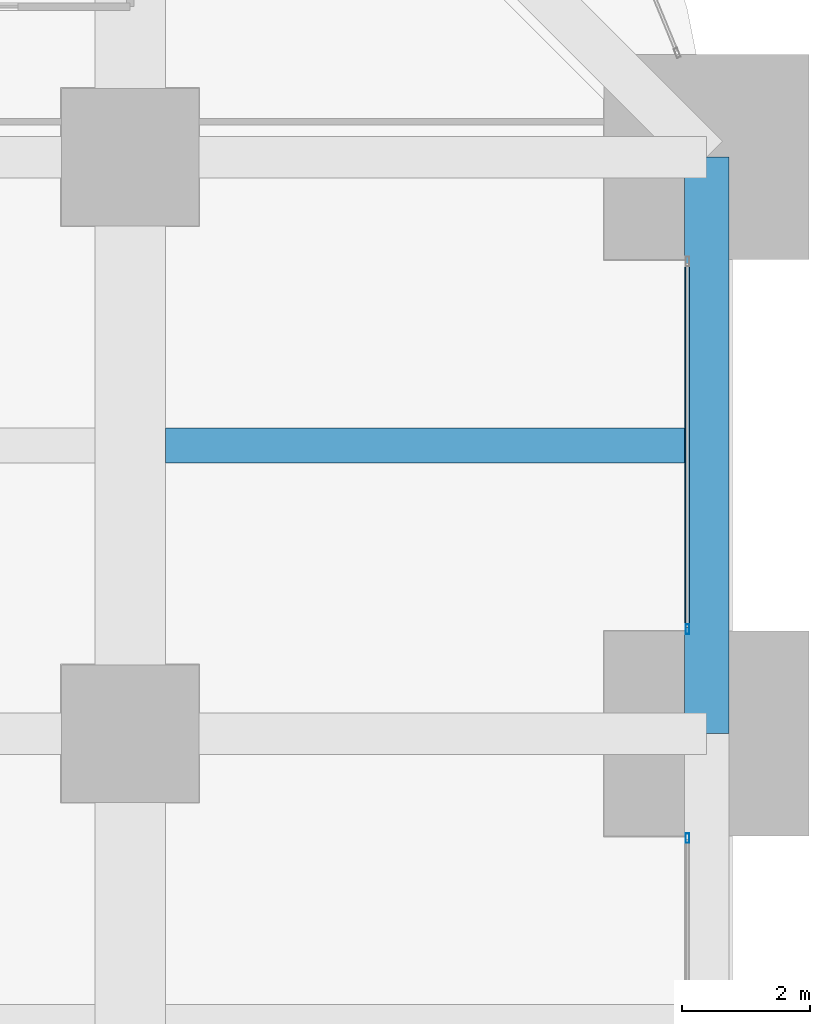
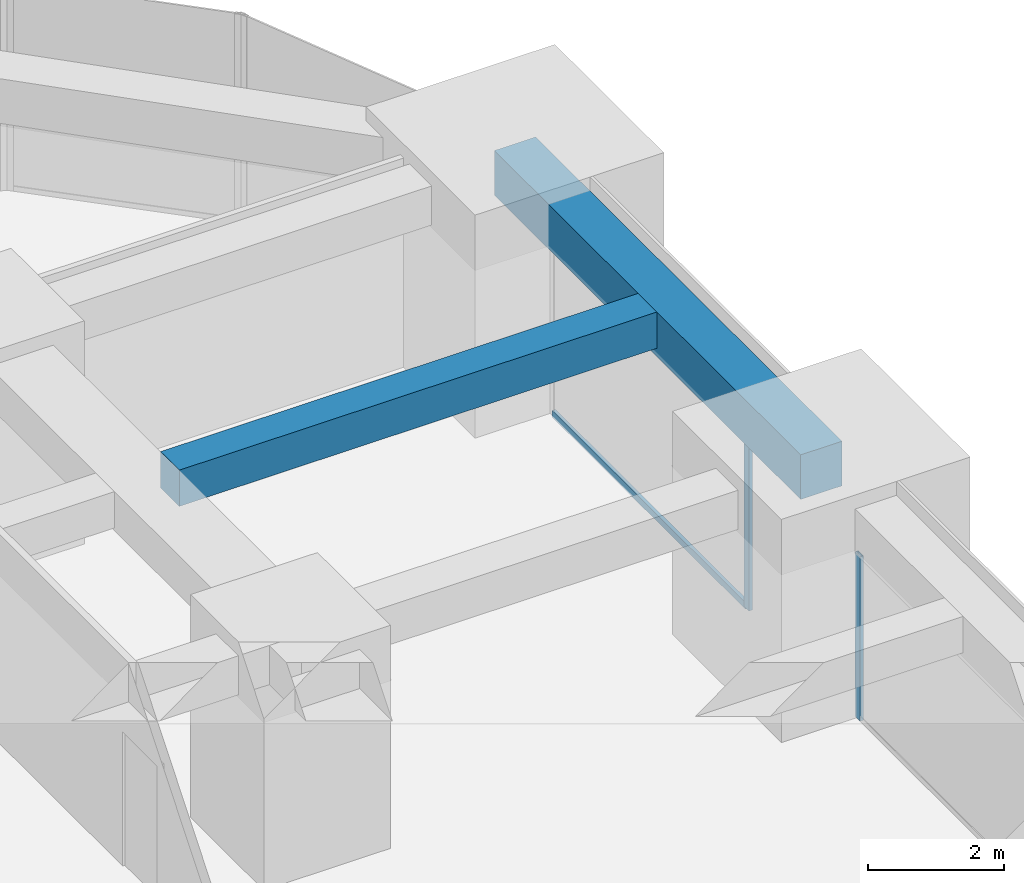
# One storey, part 23 of 41: 3 members, 2 beams, 2 elements without a shape of their own.
"""IFC4 building model written with IfcOpenShell, lengths in metres."""

from ifc_helpers import new_model, si_unit, direction, frame, origin, origin_2d, place, context, subcontext, project, spatial, rectangle, hollow_rectangle, extrude, material, material_profile, profile_set, type_object, element, aggregate, save


model = new_model("IFC4")

# Units and contexts
model_context = context("Model", 3, precision=1e-05, world=origin(), true_north=direction((0.0, 1.0)))
body_context = subcontext(model_context, "Body", "Model", "MODEL_VIEW")
ifc_project = project(units=[si_unit("LENGTHUNIT", "METRE"), si_unit("AREAUNIT", "SQUARE_METRE"), si_unit("VOLUMEUNIT", "CUBIC_METRE"), si_unit("PLANEANGLEUNIT", "RADIAN"), si_unit("MASSUNIT", "GRAM", prefix="KILO")], contexts=[model_context])

# Site, building, storey
site_placement = place(None, origin())
site = spatial("IfcSite", under=ifc_project, at=site_placement, CompositionType="ELEMENT")
building_placement = place(site_placement, origin())
building = spatial("IfcBuilding", under=site, at=building_placement, Name="Zorevar Civic Tower", CompositionType="ELEMENT")
storey_placement = place(building_placement, frame((0.0, 0.0, 89.0)))
storey = spatial("IfcBuildingStorey", under=building, at=storey_placement, Name="L21", CompositionType="ELEMENT", Elevation=89.0)

# Beam
ifc_material_1 = material(Name="Concrete C50/60", Category="concrete")
ifc_material_profile_1 = material_profile(ifc_material_1, rectangle(XDim=0.550048828125, YDim=0.64990234375, at=origin_2d()), Name="RC 550x650")
ifc_profile_set_1 = profile_set([ifc_material_profile_1], Name="Concrete C50/60")
beam_type_1 = type_object("IfcBeamType", Name="Beam RC 550x650", PredefinedType="BEAM", material=ifc_profile_set_1)
beam_1_placement = place(storey_placement, frame((54.550048828125, 31.5, 3.425048828125), z_axis=(1.0, 0.0, 0.0), x_axis=(0.0, 1.0, 0.0)))
element("IfcBeam", 1, at=beam_1_placement, inside=storey, type_object=beam_type_1, Name="Secondary beam L22", PredefinedType="BEAM", context=body_context, shape_type="SweptSolid", body=[
    extrude(rectangle(XDim=0.550048828125, YDim=0.64990234375, at=origin_2d()), origin(), (0.0, 0.0, 1.0), 8.099853515625),
])

# Curtain wall, member
ifc_material_2 = material(Name="Dark grey solar-control glass in black aluminium frame", Category="aluminium")
curtain_wall_type = type_object("IfcCurtainWallType", Name="Curtain wall CW3 mid zone", PredefinedType="NOTDEFINED", material=ifc_material_2)
curtain_wall_1_placement = place(storey_placement, origin())
curtain_wall_1 = element("IfcCurtainWall", 2, at=curtain_wall_1_placement, inside=storey, type_object=curtain_wall_type, Name="CW3 L21", PredefinedType="NOTDEFINED")
ifc_material_3 = material(Name="Aluminium, black anodised", Category="aluminium")
ifc_material_profile_2 = material_profile(ifc_material_3, hollow_rectangle(XDim=0.06005859375, YDim=0.14990234375, WallThickness=0.00390625, at=origin_2d()), Name="AL 150x60x4")
ifc_profile_set_2 = profile_set([ifc_material_profile_2], Name="Aluminium, black anodised")
member_type_1 = type_object("IfcMemberType", Name="CW3 mullion AL 150x60x4", PredefinedType="MULLION", material=ifc_profile_set_2)
member_1_placement = place(storey_placement, frame((62.699951171875, 25.3701171875, 0.0), z_axis=(0.0, 0.0, 1.0), x_axis=(-1.0, 0.0, 0.0)))
member_1 = element("IfcMember", 3, at=member_1_placement, type_object=member_type_1, Name="CW3 mullion 2", PredefinedType="MULLION", context=body_context, shape_type="SweptSolid", body=[
    extrude(hollow_rectangle(XDim=0.06005859375, YDim=0.14990234375, WallThickness=0.00390625, at=origin_2d()), origin(), (0.0, 0.0, 1.0), 2.949951171875),
])
aggregate(curtain_wall_1, [member_1])

# Curtain wall, members
curtain_wall_2_placement = place(storey_placement, origin())
curtain_wall_2 = element("IfcCurtainWall", 4, at=curtain_wall_2_placement, inside=storey, type_object=curtain_wall_type, Name="CW3 L21", PredefinedType="NOTDEFINED")
member_2_placement = place(storey_placement, frame((62.699951171875, 28.6298828125, 0.0), z_axis=(0.0, 0.0, 1.0), x_axis=(-1.0, 0.0, 0.0)))
member_2 = element("IfcMember", 5, at=member_2_placement, type_object=member_type_1, Name="CW3 mullion 1", PredefinedType="MULLION", context=body_context, shape_type="SweptSolid", body=[
    extrude(hollow_rectangle(XDim=0.06005859375, YDim=0.14990234375, WallThickness=0.00390625, at=origin_2d()), origin(), (0.0, 0.0, 1.0), 2.949951171875),
])
ifc_material_4 = material(Name="Aluminium, black anodised", Category="aluminium")
ifc_material_profile_3 = material_profile(ifc_material_4, hollow_rectangle(XDim=0.06005859375, YDim=0.1201171875, WallThickness=0.0029296875, at=origin_2d()), Name="AL 120x60x3")
ifc_profile_set_3 = profile_set([ifc_material_profile_3], Name="Aluminium, black anodised")
member_type_2 = type_object("IfcMemberType", Name="CW3 transom AL 120x60x3", PredefinedType="USERDEFINED", material=ifc_profile_set_3)
member_3_placement = place(storey_placement, frame((62.699951171875, 28.659912109375, 0.030029296875), z_axis=(0.0, 1.0, 0.0), x_axis=(-1.0, 0.0, 0.0)))
member_3 = element("IfcMember", 6, at=member_3_placement, type_object=member_type_2, Name="CW3 sill transom", ObjectType="TRANSOM", PredefinedType="USERDEFINED", context=body_context, shape_type="SweptSolid", body=[
    extrude(hollow_rectangle(XDim=0.06005859375, YDim=0.1201171875, WallThickness=0.0029296875, at=origin_2d()), origin(), (0.0, 0.0, 1.0), 5.68017578125),
])
aggregate(curtain_wall_2, [member_2, member_3])

# Beam
ifc_material_5 = material(Name="Concrete C50/60", Category="concrete")
ifc_material_profile_4 = material_profile(ifc_material_5, rectangle(XDim=0.699951171875, YDim=0.800048828125, at=origin_2d()), Name="RC 700x800")
ifc_profile_set_4 = profile_set([ifc_material_profile_4], Name="Concrete C50/60")
beam_type_2 = type_object("IfcBeamType", Name="Edge beam RC 700x800", PredefinedType="SPANDREL", material=ifc_profile_set_4)
beam_2_placement = place(storey_placement, frame((63.0, 27.0, 3.35009765625), z_axis=(0.0, 1.0, 0.0), x_axis=(-1.0, 0.0, 0.0)))
element("IfcBeam", 7, at=beam_2_placement, inside=storey, type_object=beam_type_2, Name="Edge beam L22", PredefinedType="SPANDREL", context=body_context, shape_type="SweptSolid", body=[
    extrude(rectangle(XDim=0.699951171875, YDim=0.800048828125, at=origin_2d()), origin(), (0.0, 0.0, 1.0), 9.0),
])

save(model, "model.ifc")
